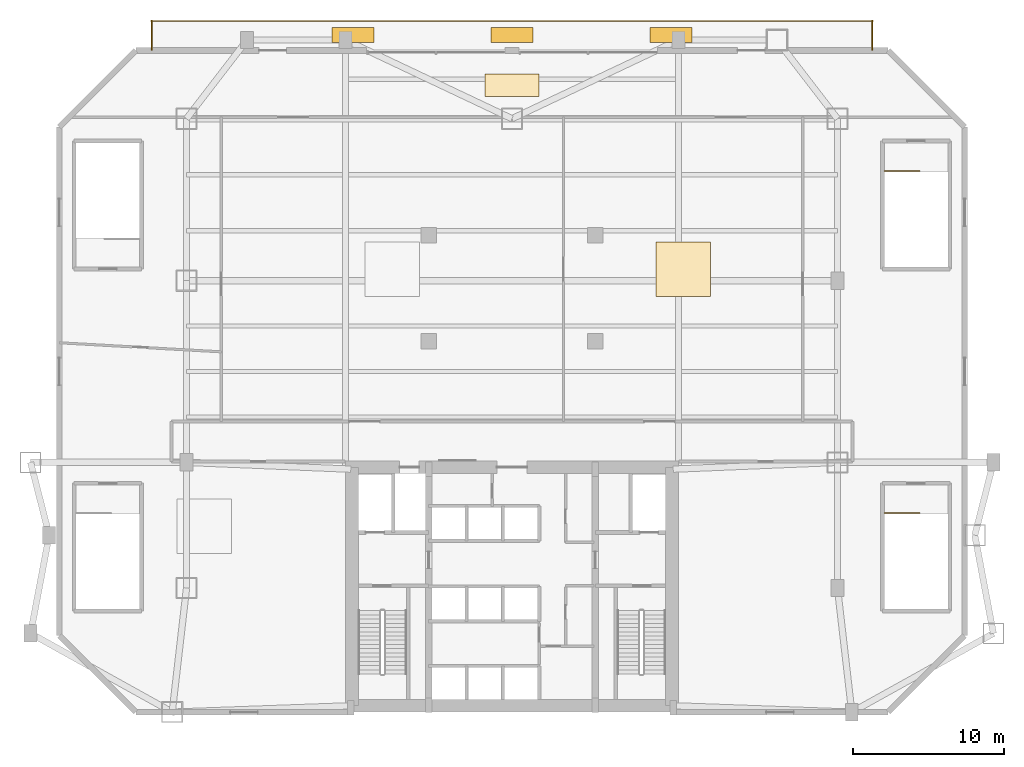
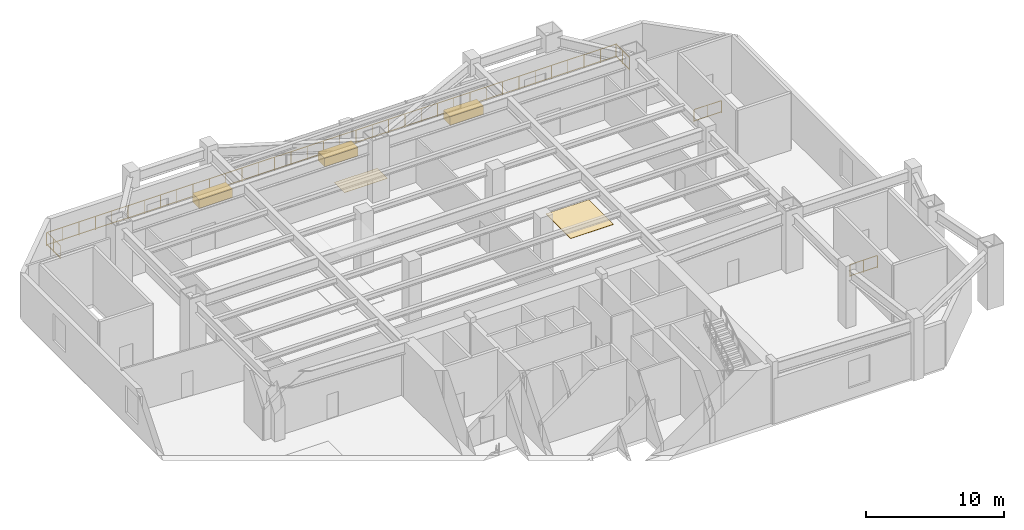
# One storey, part 8 of 8: 5 coverings, 5 railings.
"""IFC4 building model written with IfcOpenShell, lengths in metres."""

from ifc_helpers import new_model, si_unit, direction, frame, origin, origin_2d, place, context, subcontext, project, spatial, rectangle, extrude, source, transform, mapped, material, layer, layer_set, type_object, type_shapes, element, save


model = new_model("IFC4")

# Units and contexts
model_context = context("Model", 3, precision=1e-05, world=origin(), true_north=direction((0.0, 1.0)))
body_context = subcontext(model_context, "Body", "Model", "MODEL_VIEW")
ifc_project = project(units=[si_unit("LENGTHUNIT", "METRE"), si_unit("AREAUNIT", "SQUARE_METRE"), si_unit("VOLUMEUNIT", "CUBIC_METRE"), si_unit("PLANEANGLEUNIT", "RADIAN"), si_unit("MASSUNIT", "GRAM", prefix="KILO")], contexts=[model_context])

# Site, building, storey
site_placement = place(None, origin())
site = spatial("IfcSite", under=ifc_project, at=site_placement, CompositionType="ELEMENT")
building_placement = place(site_placement, origin())
building = spatial("IfcBuilding", under=site, at=building_placement, Name="Varnakhor Terracotta Tower", CompositionType="ELEMENT")
storey_placement = place(building_placement, frame((0.0, 0.0, 16.5)))
storey = spatial("IfcBuildingStorey", under=building, at=storey_placement, Name="L03", CompositionType="ELEMENT", Elevation=16.5)

# Railings
ifc_material_1 = material(Name="Painted Steel Stairwell Guardrail", Category="steel")
railing_type_1 = type_object("IfcRailingType", Name="RLG-STAIR-GUARD-1120", PredefinedType="GUARDRAIL", material=ifc_material_1)
for number, where, name in (
    (1, (24.60009765625, 13.14990234375, 0.0), "L03 ST-P2 top well guard 1"),
    (2, (24.60009765625, 35.75, 0.0), "L03 ST-P4 top well guard 1"),
):
    element("IfcRailing", number, at=place(storey_placement, frame(where)), inside=storey, type_object=railing_type_1, Name=name, PredefinedType="GUARDRAIL", context=body_context, shape_type="SweptSolid", body=[
        extrude(rectangle(XDim=0.048095703125, YDim=0.048095703125, at=origin_2d()), frame((0.0, 0.0, 1.09619140625), z_axis=(1.0, 0.0, 0.0), x_axis=(0.0, 1.0, 0.0)), (0.0, 0.0, 1.0), 2.2998046875),
        extrude(rectangle(XDim=0.048095703125, YDim=0.048095703125, at=origin_2d()), frame((0.0, 0.0, 0.10009765625), z_axis=(1.0, 0.0, 0.0), x_axis=(0.0, 1.0, 0.0)), (0.0, 0.0, 1.0), 2.2998046875),
        extrude(rectangle(XDim=0.0419921875, YDim=0.0419921875, at=origin_2d()), origin(), (0.0, 0.0, 1.0), 1.072021484375),
        extrude(rectangle(XDim=0.0419921875, YDim=0.0419921875, at=origin_2d()), frame((1.14990234375, 0.0, 0.0)), (0.0, 0.0, 1.0), 1.072021484375),
        extrude(rectangle(XDim=0.0419921875, YDim=0.0419921875, at=origin_2d()), frame((2.2998046875, 0.0, 0.0)), (0.0, 0.0, 1.0), 1.072021484375),
    ])
ifc_material_2 = material(Name="Terracotta & Brushed Steel Balustrade", Category="masonry")
railing_type_2 = type_object("IfcRailingType", Name="RLG-TERRACE-GUARD-1200", PredefinedType="BALUSTRADE", material=ifc_material_2)
railing_1_placement = place(storey_placement, frame((-23.85009765625, 45.64990234375, 0.0)))
element("IfcRailing", 3, at=railing_1_placement, inside=storey, type_object=railing_type_2, Name="L03 Terrace Stone Parapet Guard 1", PredefinedType="BALUSTRADE", context=body_context, shape_type="SweptSolid", body=[
    extrude(rectangle(XDim=0.048095703125, YDim=0.048095703125, at=origin_2d()), frame((0.0, 0.0, 1.17578125), z_axis=(1.0, 0.0, 0.0), x_axis=(0.0, 1.0, 0.0)), (0.0, 0.0, 1.0), 47.7001953125),
    extrude(rectangle(XDim=0.048095703125, YDim=0.048095703125, at=origin_2d()), frame((0.0, 0.0, 0.10009765625), z_axis=(1.0, 0.0, 0.0), x_axis=(0.0, 1.0, 0.0)), (0.0, 0.0, 1.0), 47.7001953125),
    extrude(rectangle(XDim=0.0419921875, YDim=0.0419921875, at=origin_2d()), origin(), (0.0, 0.0, 1.0), 1.15185546875),
    extrude(rectangle(XDim=0.0419921875, YDim=0.0419921875, at=origin_2d()), frame((1.36279296875, 0.0, 0.0)), (0.0, 0.0, 1.0), 1.15185546875),
    extrude(rectangle(XDim=0.0419921875, YDim=0.0419921875, at=origin_2d()), frame((2.725830078125, 0.0, 0.0)), (0.0, 0.0, 1.0), 1.15185546875),
    extrude(rectangle(XDim=0.0419921875, YDim=0.0419921875, at=origin_2d()), frame((4.088623046875, 0.0, 0.0)), (0.0, 0.0, 1.0), 1.15185546875),
    extrude(rectangle(XDim=0.0419921875, YDim=0.0419921875, at=origin_2d()), frame((5.451416015625, 0.0, 0.0)), (0.0, 0.0, 1.0), 1.15185546875),
    extrude(rectangle(XDim=0.0419921875, YDim=0.0419921875, at=origin_2d()), frame((6.814208984375, 0.0, 0.0)), (0.0, 0.0, 1.0), 1.15185546875),
    extrude(rectangle(XDim=0.0419921875, YDim=0.0419921875, at=origin_2d()), frame((8.17724609375, 0.0, 0.0)), (0.0, 0.0, 1.0), 1.15185546875),
    extrude(rectangle(XDim=0.0419921875, YDim=0.0419921875, at=origin_2d()), frame((9.5400390625, 0.0, 0.0)), (0.0, 0.0, 1.0), 1.15185546875),
    extrude(rectangle(XDim=0.0419921875, YDim=0.0419921875, at=origin_2d()), frame((10.90283203125, 0.0, 0.0)), (0.0, 0.0, 1.0), 1.15185546875),
    extrude(rectangle(XDim=0.0419921875, YDim=0.0419921875, at=origin_2d()), frame((12.265869140625, 0.0, 0.0)), (0.0, 0.0, 1.0), 1.15185546875),
    extrude(rectangle(XDim=0.0419921875, YDim=0.0419921875, at=origin_2d()), frame((13.628662109375, 0.0, 0.0)), (0.0, 0.0, 1.0), 1.15185546875),
    extrude(rectangle(XDim=0.0419921875, YDim=0.0419921875, at=origin_2d()), frame((14.991455078125, 0.0, 0.0)), (0.0, 0.0, 1.0), 1.15185546875),
    extrude(rectangle(XDim=0.0419921875, YDim=0.0419921875, at=origin_2d()), frame((16.354248046875, 0.0, 0.0)), (0.0, 0.0, 1.0), 1.15185546875),
    extrude(rectangle(XDim=0.0419921875, YDim=0.0419921875, at=origin_2d()), frame((17.71728515625, 0.0, 0.0)), (0.0, 0.0, 1.0), 1.15185546875),
    extrude(rectangle(XDim=0.0419921875, YDim=0.0419921875, at=origin_2d()), frame((19.080078125, 0.0, 0.0)), (0.0, 0.0, 1.0), 1.15185546875),
    extrude(rectangle(XDim=0.0419921875, YDim=0.0419921875, at=origin_2d()), frame((20.44287109375, 0.0, 0.0)), (0.0, 0.0, 1.0), 1.15185546875),
    extrude(rectangle(XDim=0.0419921875, YDim=0.0419921875, at=origin_2d()), frame((21.805908203125, 0.0, 0.0)), (0.0, 0.0, 1.0), 1.15185546875),
    extrude(rectangle(XDim=0.0419921875, YDim=0.0419921875, at=origin_2d()), frame((23.168701171875, 0.0, 0.0)), (0.0, 0.0, 1.0), 1.15185546875),
    extrude(rectangle(XDim=0.0419921875, YDim=0.0419921875, at=origin_2d()), frame((24.531494140625, 0.0, 0.0)), (0.0, 0.0, 1.0), 1.15185546875),
    extrude(rectangle(XDim=0.0419921875, YDim=0.0419921875, at=origin_2d()), frame((25.894287109375, 0.0, 0.0)), (0.0, 0.0, 1.0), 1.15185546875),
    extrude(rectangle(XDim=0.0419921875, YDim=0.0419921875, at=origin_2d()), frame((27.25732421875, 0.0, 0.0)), (0.0, 0.0, 1.0), 1.15185546875),
    extrude(rectangle(XDim=0.0419921875, YDim=0.0419921875, at=origin_2d()), frame((28.6201171875, 0.0, 0.0)), (0.0, 0.0, 1.0), 1.15185546875),
    extrude(rectangle(XDim=0.0419921875, YDim=0.0419921875, at=origin_2d()), frame((29.98291015625, 0.0, 0.0)), (0.0, 0.0, 1.0), 1.15185546875),
    extrude(rectangle(XDim=0.0419921875, YDim=0.0419921875, at=origin_2d()), frame((31.345947265625, 0.0, 0.0)), (0.0, 0.0, 1.0), 1.15185546875),
    extrude(rectangle(XDim=0.0419921875, YDim=0.0419921875, at=origin_2d()), frame((32.708740234375, 0.0, 0.0)), (0.0, 0.0, 1.0), 1.15185546875),
    extrude(rectangle(XDim=0.0419921875, YDim=0.0419921875, at=origin_2d()), frame((34.071533203125, 0.0, 0.0)), (0.0, 0.0, 1.0), 1.15185546875),
    extrude(rectangle(XDim=0.0419921875, YDim=0.0419921875, at=origin_2d()), frame((35.434326171875, 0.0, 0.0)), (0.0, 0.0, 1.0), 1.15185546875),
    extrude(rectangle(XDim=0.0419921875, YDim=0.0419921875, at=origin_2d()), frame((36.79736328125, 0.0, 0.0)), (0.0, 0.0, 1.0), 1.15185546875),
    extrude(rectangle(XDim=0.0419921875, YDim=0.0419921875, at=origin_2d()), frame((38.16015625, 0.0, 0.0)), (0.0, 0.0, 1.0), 1.15185546875),
    extrude(rectangle(XDim=0.0419921875, YDim=0.0419921875, at=origin_2d()), frame((39.52294921875, 0.0, 0.0)), (0.0, 0.0, 1.0), 1.15185546875),
    extrude(rectangle(XDim=0.0419921875, YDim=0.0419921875, at=origin_2d()), frame((40.885986328125, 0.0, 0.0)), (0.0, 0.0, 1.0), 1.15185546875),
    extrude(rectangle(XDim=0.0419921875, YDim=0.0419921875, at=origin_2d()), frame((42.248779296875, 0.0, 0.0)), (0.0, 0.0, 1.0), 1.15185546875),
    extrude(rectangle(XDim=0.0419921875, YDim=0.0419921875, at=origin_2d()), frame((43.611572265625, 0.0, 0.0)), (0.0, 0.0, 1.0), 1.15185546875),
    extrude(rectangle(XDim=0.0419921875, YDim=0.0419921875, at=origin_2d()), frame((44.974365234375, 0.0, 0.0)), (0.0, 0.0, 1.0), 1.15185546875),
    extrude(rectangle(XDim=0.0419921875, YDim=0.0419921875, at=origin_2d()), frame((46.33740234375, 0.0, 0.0)), (0.0, 0.0, 1.0), 1.15185546875),
    extrude(rectangle(XDim=0.0419921875, YDim=0.0419921875, at=origin_2d()), frame((47.7001953125, 0.0, 0.0)), (0.0, 0.0, 1.0), 1.15185546875),
])
railing_2_placement = place(storey_placement, frame((23.800048828125, 45.699951171875, 0.0)))
element("IfcRailing", 4, at=railing_2_placement, inside=storey, type_object=railing_type_2, Name="L03 Terrace Stone Parapet Guard 2", PredefinedType="BALUSTRADE", context=body_context, shape_type="SweptSolid", body=[
    extrude(rectangle(XDim=0.048095703125, YDim=0.048095703125, at=origin_2d()), frame((0.0, 0.0, 1.17578125), z_axis=(0.0, -1.0, 0.0), x_axis=(1.0, 0.0, 0.0)), (0.0, 0.0, 1.0), 1.9599609375),
    extrude(rectangle(XDim=0.048095703125, YDim=0.048095703125, at=origin_2d()), frame((0.0, 0.0, 0.10009765625), z_axis=(0.0, -1.0, 0.0), x_axis=(1.0, 0.0, 0.0)), (0.0, 0.0, 1.0), 1.9599609375),
    extrude(rectangle(XDim=0.0419921875, YDim=0.0419921875, at=origin_2d()), origin(), (0.0, 0.0, 1.0), 1.15185546875),
    extrude(rectangle(XDim=0.0419921875, YDim=0.0419921875, at=origin_2d()), frame((0.0, -0.97998046875, 0.0)), (0.0, 0.0, 1.0), 1.15185546875),
    extrude(rectangle(XDim=0.0419921875, YDim=0.0419921875, at=origin_2d()), frame((0.0, -1.9599609375, 0.0)), (0.0, 0.0, 1.0), 1.15185546875),
])
railing_3_placement = place(storey_placement, frame((-23.800048828125, 43.739990234375, 0.0)))
element("IfcRailing", 5, at=railing_3_placement, inside=storey, type_object=railing_type_2, Name="L03 Terrace Stone Parapet Guard 4", PredefinedType="BALUSTRADE", context=body_context, shape_type="SweptSolid", body=[
    extrude(rectangle(XDim=0.048095703125, YDim=0.048095703125, at=origin_2d()), frame((0.0, 0.0, 1.17578125), z_axis=(0.0, 1.0, 0.0), x_axis=(-1.0, 0.0, 0.0)), (0.0, 0.0, 1.0), 1.9599609375),
    extrude(rectangle(XDim=0.048095703125, YDim=0.048095703125, at=origin_2d()), frame((0.0, 0.0, 0.10009765625), z_axis=(0.0, 1.0, 0.0), x_axis=(-1.0, 0.0, 0.0)), (0.0, 0.0, 1.0), 1.9599609375),
    extrude(rectangle(XDim=0.0419921875, YDim=0.0419921875, at=origin_2d()), origin(), (0.0, 0.0, 1.0), 1.15185546875),
    extrude(rectangle(XDim=0.0419921875, YDim=0.0419921875, at=origin_2d()), frame((0.0, 0.97998046875, 0.0)), (0.0, 0.0, 1.0), 1.15185546875),
    extrude(rectangle(XDim=0.0419921875, YDim=0.0419921875, at=origin_2d()), frame((0.0, 1.9599609375, 0.0)), (0.0, 0.0, 1.0), 1.15185546875),
])

# Coverings
ifc_material_3 = material(Name="Planted Terracotta Garden Substrate Bed", Category="masonry")
ifc_layer_1 = layer(ifc_material_3, 0.449951171875, Name="Planted Terracotta Garden Substrate Bed")
ifc_layer_set_1 = layer_set([ifc_layer_1], Name="Planted Terracotta Garden Substrate Bed")
covering_type_1 = type_object("IfcCoveringType", Name="PLANTER TERRACOTTA BED", PredefinedType="USERDEFINED", material=ifc_layer_set_1)
shared_shape_1 = source(origin(), body_context, "Body", "SweptSolid", [
    extrude(rectangle(XDim=2.800048828125, YDim=1.0, at=origin_2d()), origin(), (0.0, 0.0, 1.0), 0.75),
])
type_shapes(covering_type_1, [shared_shape_1])
for number, where, z_axis, x_axis, name in (
    (6, (-10.5, 44.719970703125, 0.0), (0.0, 0.0, 1.0), (1.0, 0.0, 0.0), "L03 Terrace Landscaped Planter 1"),
    (7, (0.0, 44.719970703125, 0.0), (0.0, 0.0, 1.0), (1.0, 0.0, 0.0), "L03 Terrace Landscaped Planter 2"),
    (8, (10.5, 44.719970703125, 0.0), (0.0, 0.0, 1.0), (1.0, 0.0, 0.0), "L03 Terrace Landscaped Planter 3"),
):
    element("IfcCovering", number, at=place(storey_placement, frame(where, z_axis=z_axis, x_axis=x_axis)), inside=storey, type_object=covering_type_1, Name=name, ObjectType="PLANTER", PredefinedType="USERDEFINED", context=body_context, shape_type="MappedRepresentation", body=[
        mapped(shared_shape_1, transform((0.0, 0.0, 0.0), scale=1.0)),
    ])
ifc_material_4 = material(Name="Honed Riyadh Limestone Flooring", Category="masonry")
ifc_layer_2 = layer(ifc_material_4, 0.030029296875, Name="Honed Riyadh Limestone Flooring")
ifc_layer_set_2 = layer_set([ifc_layer_2], Name="Honed Riyadh Limestone Flooring")
covering_type_2 = type_object("IfcCoveringType", Name="COV-FLOOR-LIMESTONE", PredefinedType="FLOORING", material=ifc_layer_set_2)
shared_shape_2 = source(origin(), body_context, "Body", "SweptSolid", [
    extrude(rectangle(XDim=3.60009765625, YDim=3.60009765625, at=origin_2d()), origin(), (0.0, 0.0, 1.0), 0.02001953125),
])
covering_1_placement = place(storey_placement, frame((11.297119140625, 29.25, 0.0), z_axis=(0.0, 0.0, 1.0), x_axis=(1.0, 0.0, 0.0)))
element("IfcCovering", 9, at=covering_1_placement, inside=storey, type_object=covering_type_2, Name="L03 Honed Stone Flooring 3", PredefinedType="FLOORING", context=body_context, shape_type="MappedRepresentation", body=[
    mapped(shared_shape_2, transform((0.0, 0.0, 0.0), scale=1.0)),
])
shared_shape_3 = source(origin(), body_context, "Body", "SweptSolid", [
    extrude(rectangle(XDim=3.60009765625, YDim=1.4970703125, at=origin_2d()), origin(), (0.0, 0.0, 1.0), 0.02001953125),
])
covering_2_placement = place(storey_placement, frame((0.0, 41.408935546875, 0.0), z_axis=(0.0, 0.0, 1.0), x_axis=(1.0, 0.0, 0.0)))
element("IfcCovering", 10, at=covering_2_placement, inside=storey, type_object=covering_type_2, Name="L03 Honed Stone Flooring 4", PredefinedType="FLOORING", context=body_context, shape_type="MappedRepresentation", body=[
    mapped(shared_shape_3, transform((0.0, 0.0, 0.0), scale=1.0)),
])

save(model, "model.ifc")
